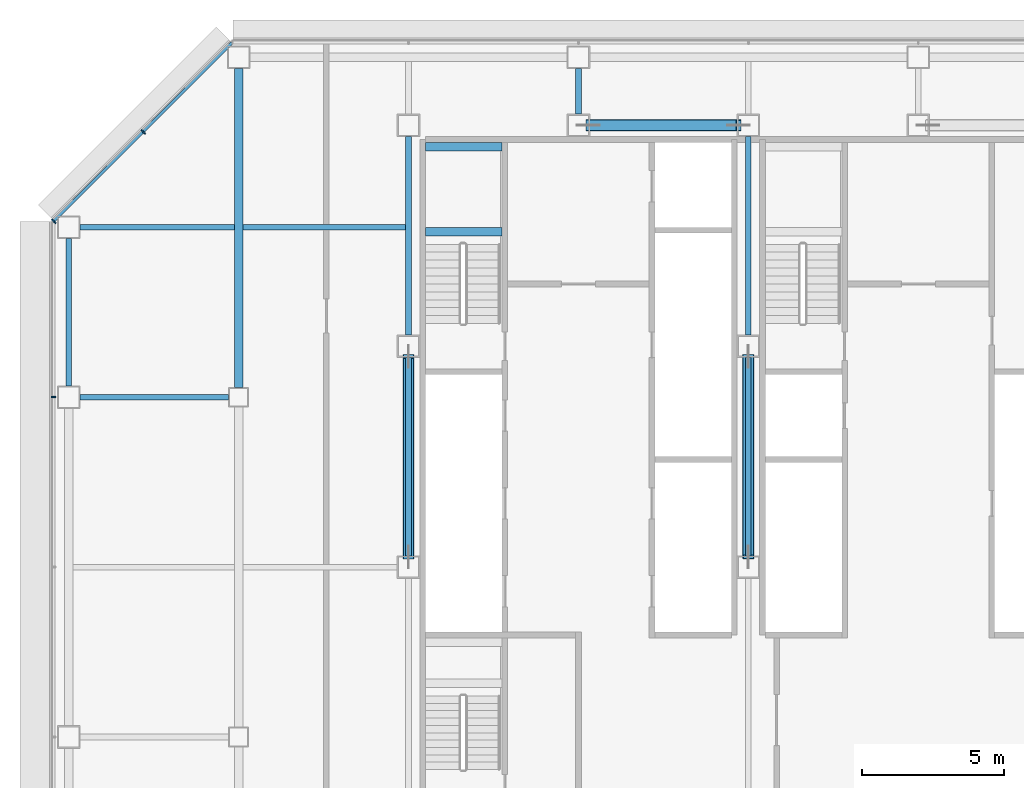
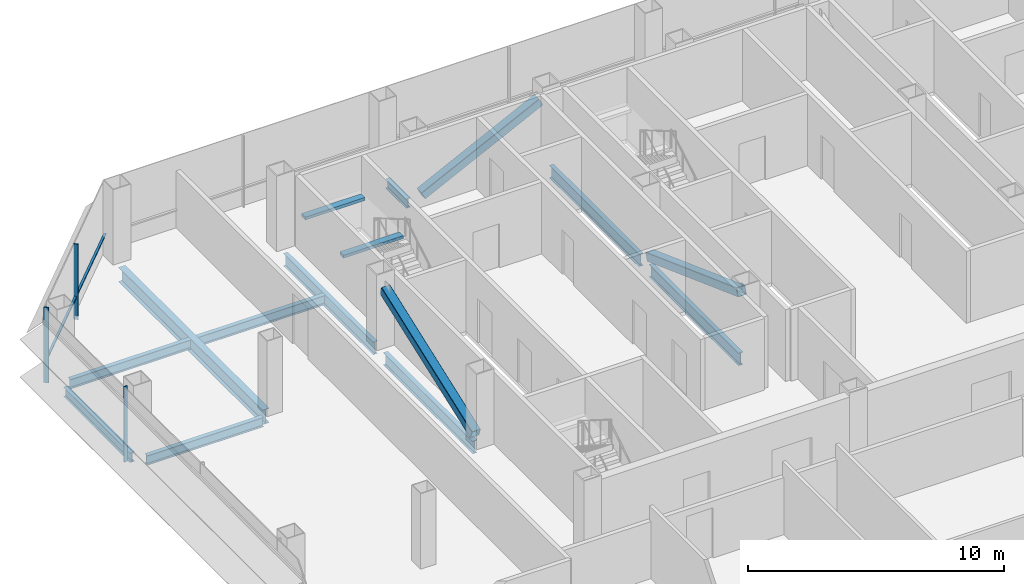
# One storey, part 11 of 25: 12 beams, 7 members, 2 elements without a shape of their own.
"""IFC4 building model written with IfcOpenShell, lengths in metres."""

from ifc_helpers import new_model, si_unit, direction, frame, origin, origin_2d, place, context, subcontext, project, spatial, rectangle, hollow_rectangle, i_section, extrude, material, material_profile, profile_set, type_object, element, aggregate, save


model = new_model("IFC4")

# Units and contexts
model_context = context("Model", 3, precision=1e-05, world=origin(), true_north=direction((0.0, 1.0)))
body_context = subcontext(model_context, "Body", "Model", "MODEL_VIEW")
ifc_project = project(units=[si_unit("LENGTHUNIT", "METRE"), si_unit("AREAUNIT", "SQUARE_METRE"), si_unit("VOLUMEUNIT", "CUBIC_METRE"), si_unit("PLANEANGLEUNIT", "RADIAN"), si_unit("MASSUNIT", "GRAM", prefix="KILO")], contexts=[model_context])

# Site, building, storey
site_placement = place(None, origin())
site = spatial("IfcSite", under=ifc_project, at=site_placement, CompositionType="ELEMENT")
building_placement = place(site_placement, origin())
building = spatial("IfcBuilding", under=site, at=building_placement, Name="Sorahane Residences", CompositionType="ELEMENT")
storey_placement = place(building_placement, frame((0.0, 0.0, 143.800048828125)))
storey = spatial("IfcBuildingStorey", under=building, at=storey_placement, Name="L32", CompositionType="ELEMENT", Elevation=143.800048828125)

# Members
ifc_material_1 = material(Name="Steel Q355B", Category="steel")
ifc_material_profile_1 = material_profile(ifc_material_1, hollow_rectangle(XDim=0.39990234375, YDim=0.39990234375, WallThickness=0.02001953125, InnerFilletRadius=0.010009765625, OuterFilletRadius=0.030029296875, at=origin_2d()), Name="RHS 400x400x20")
ifc_profile_set_1 = profile_set([ifc_material_profile_1], Name="Steel Q355B")
member_type_1 = type_object("IfcMemberType", Name="Core brace RHS 400x400x20 Q355B", PredefinedType="BRACE", material=ifc_profile_set_1)
member_1_placement = place(storey_placement, frame((12.346923828125, 45.60009765625, 0.173583984375), z_axis=(0.896480070819, 0.0, 0.443084058192), x_axis=(0.0, 1.0, 0.0)))
element("IfcMember", 1, at=member_1_placement, inside=storey, type_object=member_type_1, Name="Core brace L32 y45.6-2", PredefinedType="BRACE", context=body_context, shape_type="SweptSolid", body=[
    extrude(hollow_rectangle(XDim=0.39990234375, YDim=0.39990234375, WallThickness=0.02001953125, InnerFilletRadius=0.010009765625, OuterFilletRadius=0.030029296875, at=origin_2d()), origin(), (0.0, 0.0, 1.0), 5.9189453125),
])
for number, where, z_axis, x_axis, name in (
    (2, (6.0, 30.358642578125, 0.184814453125), (0.0, 0.938733651637, 0.344643484319), (-1.0, 0.0, 0.0), "Core brace L32 x6-2"),
    (3, (18.0, 37.44140625, 0.184814453125), (0.0, -0.938733651637, 0.344643484319), (1.0, 0.0, 0.0), "Core brace L32 x18-1"),
):
    element("IfcMember", number, at=place(storey_placement, frame(where, z_axis=z_axis, x_axis=x_axis)), inside=storey, type_object=member_type_1, Name=name, PredefinedType="BRACE", context=body_context, shape_type="SweptSolid", body=[
        extrude(hollow_rectangle(XDim=0.39990234375, YDim=0.39990234375, WallThickness=0.02001953125, InnerFilletRadius=0.010009765625, OuterFilletRadius=0.030029296875, at=origin_2d()), origin(), (0.0, 0.0, 1.0), 7.544921875),
    ])

# Curtain wall, member
ifc_material_2 = material(Name="Dark low-e glass and black anodised aluminium", Category="aluminium")
curtain_wall_type_1 = type_object("IfcCurtainWallType", Name="Curtain wall CW-1 Typical unitised wall", PredefinedType="NOTDEFINED", material=ifc_material_2)
curtain_wall_1_placement = place(storey_placement, origin())
curtain_wall_1 = element("IfcCurtainWall", 4, at=curtain_wall_1_placement, inside=storey, type_object=curtain_wall_type_1, Name="CW-1 curtain wall L32 W1", PredefinedType="NOTDEFINED")
ifc_material_3 = material(Name="Black anodised aluminium", Category="aluminium")
ifc_material_profile_2 = material_profile(ifc_material_3, rectangle(XDim=0.159912109375, YDim=0.050048828125, at=origin_2d()), Name="Curtain wall mullion CW-1 black anodised aluminium 50x160")
ifc_profile_set_2 = profile_set([ifc_material_profile_2], Name="Black anodised aluminium")
member_type_2 = type_object("IfcMemberType", Name="Curtain wall mullion CW-1 black anodised aluminium 50x160", PredefinedType="MULLION", material=ifc_profile_set_2)
member_2_placement = place(storey_placement, frame((-6.5400390625, 36.0, -0.179931640625), z_axis=(0.0, 0.0, 1.0), x_axis=(-1.0, 0.0, 0.0)))
member_2 = element("IfcMember", 5, at=member_2_placement, type_object=member_type_2, Name="CW-1 mullion L32 W1.2", PredefinedType="MULLION", context=body_context, shape_type="SweptSolid", body=[
    extrude(rectangle(XDim=0.159912109375, YDim=0.050048828125, at=origin_2d()), origin(), (0.0, 0.0, 1.0), 3.599853515625),
])
aggregate(curtain_wall_1, [member_2])

# Curtain wall, members
ifc_material_4 = material(Name="Dark low-e glass and black anodised aluminium", Category="aluminium")
curtain_wall_type_2 = type_object("IfcCurtainWallType", Name="Curtain wall CW-2 Chamfer unitised wall", PredefinedType="NOTDEFINED", material=ifc_material_4)
curtain_wall_2_placement = place(storey_placement, origin())
curtain_wall_2 = element("IfcCurtainWall", 6, at=curtain_wall_2_placement, inside=storey, type_object=curtain_wall_type_2, Name="CW-2 curtain wall L32 NW1", PredefinedType="NOTDEFINED")
ifc_material_5 = material(Name="Black anodised aluminium", Category="aluminium")
ifc_material_profile_3 = material_profile(ifc_material_5, rectangle(XDim=0.199951171875, YDim=0.050048828125, at=origin_2d()), Name="Curtain wall mullion CW-2 black anodised aluminium 50x200")
ifc_profile_set_3 = profile_set([ifc_material_profile_3], Name="Black anodised aluminium")
member_type_3 = type_object("IfcMemberType", Name="Curtain wall mullion CW-2 black anodised aluminium 50x200", PredefinedType="MULLION", material=ifc_profile_set_3)
member_3_placement = place(storey_placement, frame((-3.36767578125, 45.36767578125, -0.179931640625), z_axis=(0.0, 0.0, 1.0), x_axis=(-0.707106781187, 0.707106781187, 0.0)))
member_3 = element("IfcMember", 7, at=member_3_placement, type_object=member_type_3, Name="CW-2 mullion L32 NW1.2", PredefinedType="MULLION", context=body_context, shape_type="SweptSolid", body=[
    extrude(rectangle(XDim=0.199951171875, YDim=0.050048828125, at=origin_2d()), origin(), (0.0, 0.0, 1.0), 3.599853515625),
])
member_4_placement = place(storey_placement, frame((-6.525634765625, 42.209716796875, -0.179931640625), z_axis=(0.0, 0.0, 1.0), x_axis=(-0.707106781187, 0.707106781187, 0.0)))
member_4 = element("IfcMember", 8, at=member_4_placement, type_object=member_type_3, Name="CW-2 mullion L32 NW1.3", PredefinedType="MULLION", context=body_context, shape_type="SweptSolid", body=[
    extrude(rectangle(XDim=0.199951171875, YDim=0.050048828125, at=origin_2d()), origin(), (0.0, 0.0, 1.0), 3.599853515625),
])
ifc_material_6 = material(Name="Black anodised aluminium", Category="aluminium")
ifc_material_profile_4 = material_profile(ifc_material_6, rectangle(XDim=0.10009765625, YDim=0.06005859375, at=origin_2d()), Name="Curtain wall transom CW-2 black anodised aluminium 60x100")
ifc_profile_set_4 = profile_set([ifc_material_profile_4], Name="Black anodised aluminium")
member_type_4 = type_object("IfcMemberType", Name="Curtain wall transom CW-2 black anodised aluminium 60x100", PredefinedType="USERDEFINED", material=ifc_profile_set_4)
member_5_placement = place(storey_placement, frame((-0.234375, 48.51513671875, 0.89990234375), z_axis=(-0.707106781187, -0.707106781187, 0.0), x_axis=(0.707106781187, -0.707106781187, 0.0)))
member_5 = element("IfcMember", 9, at=member_5_placement, type_object=member_type_4, Name="CW-2 transom L32 NW1", ObjectType="TRANSOM", PredefinedType="USERDEFINED", context=body_context, shape_type="SweptSolid", body=[
    extrude(rectangle(XDim=0.10009765625, YDim=0.06005859375, at=origin_2d()), origin(), (0.0, 0.0, 1.0), 8.88232421875),
])
aggregate(curtain_wall_2, [member_3, member_4, member_5])

# Beams
ifc_material_7 = material(Name="Concrete C40", Category="concrete")
ifc_material_profile_5 = material_profile(ifc_material_7, rectangle(XDim=0.300048828125, YDim=0.139892578125, at=origin_2d()), Name="300x140")
ifc_profile_set_5 = profile_set([ifc_material_profile_5], Name="Concrete C40")
beam_type_1 = type_object("IfcBeamType", Name="RC landing beam 300 x 140 Concrete C40", PredefinedType="BEAM", material=ifc_profile_set_5)
for number, where, z_axis, x_axis, name in (
    (10, (6.60009765625, 41.85009765625, 1.530029296875), (1.0, 0.0, 0.0), (0.0, 1.0, 0.0), "Landing beam"),
    (11, (6.60009765625, 44.85009765625, 1.530029296875), (1.0, 0.0, 0.0), (0.0, 1.0, 0.0), "Landing beam"),
):
    element("IfcBeam", number, at=place(storey_placement, frame(where, z_axis=z_axis, x_axis=x_axis)), inside=storey, type_object=beam_type_1, Name=name, PredefinedType="BEAM", context=body_context, shape_type="SweptSolid", body=[
        extrude(rectangle(XDim=0.300048828125, YDim=0.139892578125, at=origin_2d()), origin(), (0.0, 0.0, 1.0), 2.699951171875),
    ])
ifc_material_8 = material(Name="Steel Q355B", Category="steel")
ifc_material_profile_6 = material_profile(ifc_material_8, i_section(OverallWidth=0.199951171875, OverallDepth=0.449951171875, WebThickness=0.009033203125, FlangeThickness=0.013916015625, FilletRadius=0.02001953125, at=origin_2d()), Name="HN 450x200x9x14")
ifc_profile_set_6 = profile_set([ifc_material_profile_6], Name="Steel Q355B")
beam_type_2 = type_object("IfcBeamType", Name="Steel floor beam HN 450x200x9x14 Q355B", PredefinedType="BEAM", material=ifc_profile_set_6)
beam_1_placement = place(storey_placement, frame((-5.60009765625, 36.0, -0.405029296875), z_axis=(1.0, 0.0, 0.0), x_axis=(0.0, 1.0, 0.0)))
element("IfcBeam", 12, at=beam_1_placement, inside=storey, type_object=beam_type_2, Name="Beam L32 013", PredefinedType="BEAM", context=body_context, shape_type="SweptSolid", body=[
    extrude(i_section(OverallWidth=0.199951171875, OverallDepth=0.449951171875, WebThickness=0.009033203125, FlangeThickness=0.013916015625, FilletRadius=0.02001953125, at=origin_2d()), origin(), (0.0, 0.0, 1.0), 5.25),
])
beam_2_placement = place(storey_placement, frame((-6.0, 36.39990234375, -0.405029296875), z_axis=(0.0, 1.0, 0.0), x_axis=(-1.0, 0.0, 0.0)))
element("IfcBeam", 13, at=beam_2_placement, inside=storey, type_object=beam_type_2, Name="Beam L32 023", PredefinedType="BEAM", context=body_context, shape_type="SweptSolid", body=[
    extrude(i_section(OverallWidth=0.199951171875, OverallDepth=0.449951171875, WebThickness=0.009033203125, FlangeThickness=0.013916015625, FilletRadius=0.02001953125, at=origin_2d()), origin(), (0.0, 0.0, 1.0), 5.2001953125),
])
beam_3_placement = place(storey_placement, frame((12.0, 46.0, -0.405029296875), z_axis=(0.0, 1.0, 0.0), x_axis=(-1.0, 0.0, 0.0)))
element("IfcBeam", 14, at=beam_3_placement, inside=storey, type_object=beam_type_2, Name="Beam L32 035", PredefinedType="BEAM", context=body_context, shape_type="SweptSolid", body=[
    extrude(i_section(OverallWidth=0.199951171875, OverallDepth=0.449951171875, WebThickness=0.009033203125, FlangeThickness=0.013916015625, FilletRadius=0.02001953125, at=origin_2d()), origin(), (0.0, 0.0, 1.0), 1.60009765625),
])
beam_4_placement = place(storey_placement, frame((-5.60009765625, 42.0, -0.405029296875), z_axis=(1.0, 0.0, 0.0), x_axis=(0.0, 1.0, 0.0)))
element("IfcBeam", 15, at=beam_4_placement, inside=storey, type_object=beam_type_2, Name="Beam L32 089", PredefinedType="BEAM", context=body_context, shape_type="SweptSolid", body=[
    extrude(i_section(OverallWidth=0.199951171875, OverallDepth=0.449951171875, WebThickness=0.009033203125, FlangeThickness=0.013916015625, FilletRadius=0.02001953125, at=origin_2d()), origin(), (0.0, 0.0, 1.0), 5.4501953125),
])
beam_5_placement = place(storey_placement, frame((0.14990234375, 42.0, -0.405029296875), z_axis=(1.0, 0.0, 0.0), x_axis=(0.0, 1.0, 0.0)))
element("IfcBeam", 16, at=beam_5_placement, inside=storey, type_object=beam_type_2, Name="Beam L32 090", PredefinedType="BEAM", context=body_context, shape_type="SweptSolid", body=[
    extrude(i_section(OverallWidth=0.199951171875, OverallDepth=0.449951171875, WebThickness=0.009033203125, FlangeThickness=0.013916015625, FilletRadius=0.02001953125, at=origin_2d()), origin(), (0.0, 0.0, 1.0), 5.75),
])
ifc_material_9 = material(Name="Steel Q355B", Category="steel")
ifc_material_profile_7 = material_profile(ifc_material_9, i_section(OverallWidth=0.199951171875, OverallDepth=0.60009765625, WebThickness=0.010986328125, FlangeThickness=0.01708984375, FilletRadius=0.02392578125, at=origin_2d()), Name="HN 600x200x11x17")
ifc_profile_set_7 = profile_set([ifc_material_profile_7], Name="Steel Q355B")
beam_type_3 = type_object("IfcBeamType", Name="Steel floor beam HN 600x200x11x17 Q355B", PredefinedType="BEAM", material=ifc_profile_set_7)
for number, where, z_axis, x_axis, name in (
    (17, (6.0, 30.39990234375, -0.47998046875), (0.0, 1.0, 0.0), (-1.0, 0.0, 0.0), "Beam L32 031"),
    (18, (6.0, 38.199951171875, -0.47998046875), (0.0, 1.0, 0.0), (-1.0, 0.0, 0.0), "Beam L32 032"),
    (19, (18.0, 30.39990234375, -0.47998046875), (0.0, 1.0, 0.0), (-1.0, 0.0, 0.0), "Beam L32 039"),
    (20, (18.0, 38.199951171875, -0.47998046875), (0.0, 1.0, 0.0), (-1.0, 0.0, 0.0), "Beam L32 040"),
):
    element("IfcBeam", number, at=place(storey_placement, frame(where, z_axis=z_axis, x_axis=x_axis)), inside=storey, type_object=beam_type_3, Name=name, PredefinedType="BEAM", context=body_context, shape_type="SweptSolid", body=[
        extrude(i_section(OverallWidth=0.199951171875, OverallDepth=0.60009765625, WebThickness=0.010986328125, FlangeThickness=0.01708984375, FilletRadius=0.02392578125, at=origin_2d()), origin(), (0.0, 0.0, 1.0), 7.0),
    ])
ifc_material_10 = material(Name="Steel Q355B", Category="steel")
ifc_material_profile_8 = material_profile(ifc_material_10, i_section(OverallWidth=0.300048828125, OverallDepth=0.699951171875, WebThickness=0.012939453125, FlangeThickness=0.02392578125, FilletRadius=0.028076171875, at=origin_2d()), Name="HN 700x300x13x24")
ifc_profile_set_8 = profile_set([ifc_material_profile_8], Name="Steel Q355B")
beam_type_4 = type_object("IfcBeamType", Name="Steel floor beam HN 700x300x13x24 Q355B", PredefinedType="BEAM", material=ifc_profile_set_8)
beam_6_placement = place(storey_placement, frame((0.0, 36.35009765625, -0.530029296875), z_axis=(0.0, 1.0, 0.0), x_axis=(-1.0, 0.0, 0.0)))
element("IfcBeam", 21, at=beam_6_placement, inside=storey, type_object=beam_type_4, Name="Beam L32 027", PredefinedType="BEAM", context=body_context, shape_type="SweptSolid", body=[
    extrude(i_section(OverallWidth=0.300048828125, OverallDepth=0.699951171875, WebThickness=0.012939453125, FlangeThickness=0.02392578125, FilletRadius=0.028076171875, at=origin_2d()), origin(), (0.0, 0.0, 1.0), 11.25),
])

save(model, "model.ifc")
